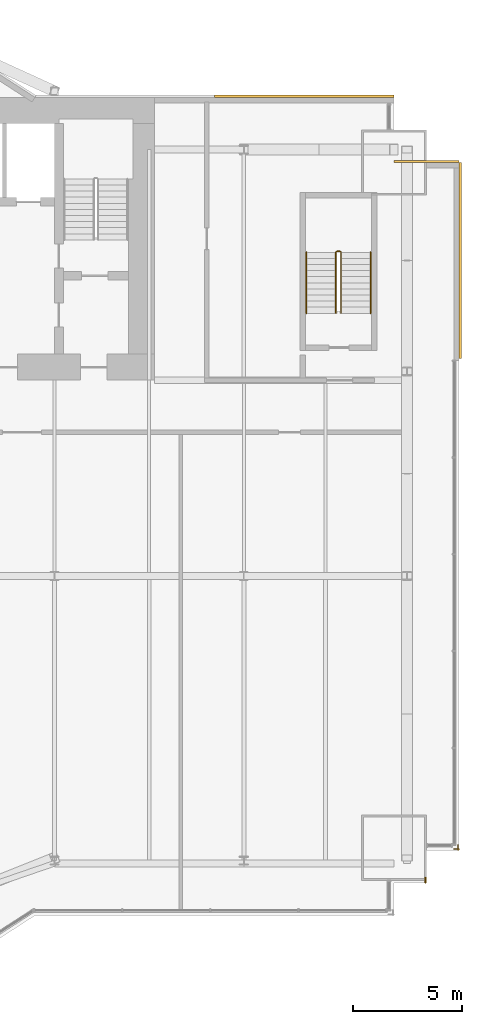
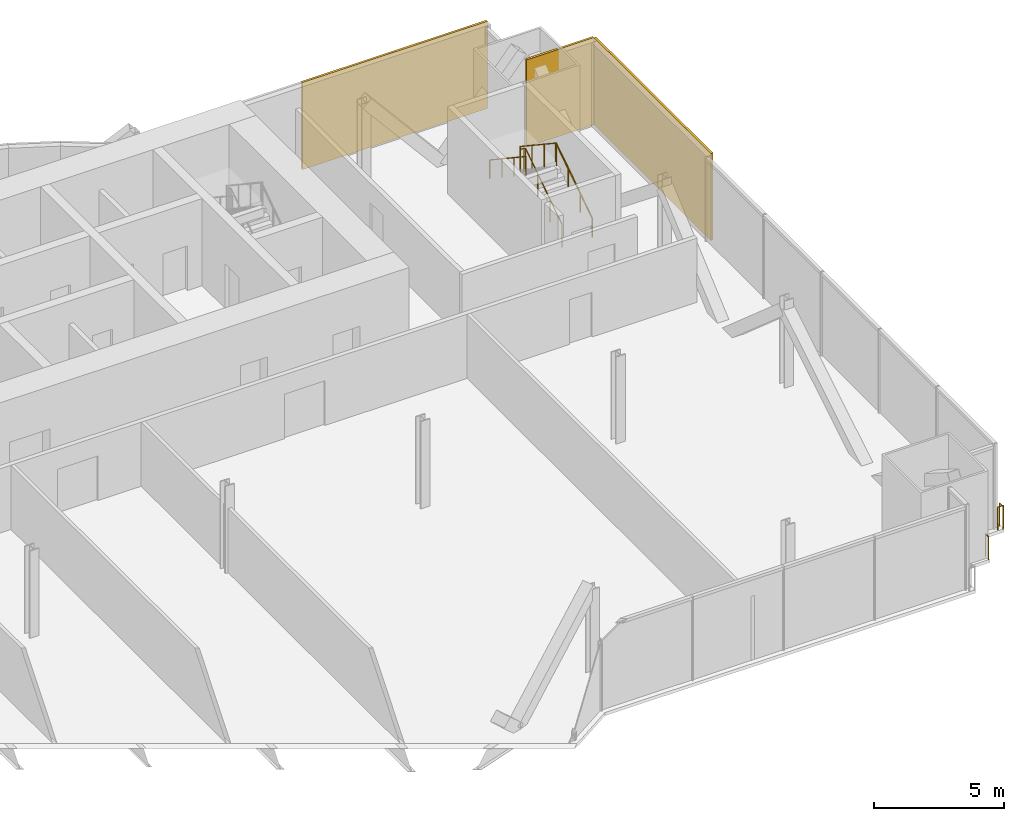
# One storey, part 21 of 21: 5 railings, 3 coverings.
"""IFC4 building model written with IfcOpenShell, lengths in metres."""

import ifcopenshell
import ifcopenshell.guid

model = None  # the IFC model being written
_history = None  # IfcOwnerHistory: only IFC2X3 demands one
_inside = {}  # id of a spatial element -> (the spatial element, [elements in it])
_under = {}  # id of a project, library or spatial element -> (it, [spatial elements below it])
_declared = {}  # id of a project -> (the project, [libraries it declares])
_typed = {}  # id of a type object -> (the type object, [elements of that type])
_made_of = {}  # id of a material, layer set ... -> (it, [elements and type objects made of it])


def new_model(schema):
    """Start an empty IFC model of exactly this schema.

    Asked for "IFC4X3", IfcOpenShell would pick the latest addendum, in which some entities
    have other attributes; the version numbers below select the first issue.
    IFC2X3 requires an IfcOwnerHistory on every rooted entity: one is made here for all.
    """
    global model, _history
    if schema == "IFC4X3":
        model = ifcopenshell.file(schema_version=(4, 3, 0, 0))
    else:
        model = ifcopenshell.file(schema=schema)
    _inside.clear()
    _under.clear()
    _declared.clear()
    _typed.clear()
    _made_of.clear()
    _history = None
    if model.schema == "IFC2X3":
        org = make("IfcOrganization", Name="unknown")
        user = make(
            "IfcPersonAndOrganization",
            ThePerson=make("IfcPerson", FamilyName="unknown"),
            TheOrganization=org,
        )
        app = make(
            "IfcApplication",
            ApplicationDeveloper=org,
            Version="unknown",
            ApplicationFullName="unknown",
            ApplicationIdentifier="unknown",
        )
        _history = make(
            "IfcOwnerHistory",
            OwningUser=user,
            OwningApplication=app,
            ChangeAction="ADDED",
            CreationDate=0,
        )
    return model


def make(cls, **values):
    """One entity of the class cls with the attributes given. An attribute that is None is left unset."""
    return model.create_entity(
        cls, **{name: value for name, value in values.items() if value is not None}
    )


def rooted(cls, **values):
    """An entity with a GlobalId (a new one), such as an element, a storey or a relation."""
    return make(cls, GlobalId=ifcopenshell.guid.new(), OwnerHistory=_history, **values)


def si_unit(unit_type, name, prefix=None):
    """IfcSIUnit, for example si_unit("LENGTHUNIT", "METRE", prefix="MILLI")."""
    return make("IfcSIUnit", UnitType=unit_type, Prefix=prefix, Name=name)


def assignment(units):
    """IfcUnitAssignment: the units of a project."""
    return None if units is None else make("IfcUnitAssignment", Units=units)


def point(xyz):
    """IfcCartesianPoint."""
    return None if xyz is None else make("IfcCartesianPoint", Coordinates=xyz)


def direction(xyz):
    """IfcDirection."""
    return None if xyz is None else make("IfcDirection", DirectionRatios=xyz)


def frame(location, z_axis=None, x_axis=None):
    """IfcAxis2Placement3D, a coordinate frame: its origin and axes. An axis left out is left unset."""
    return make(
        "IfcAxis2Placement3D",
        Location=point(location),
        Axis=direction(z_axis),
        RefDirection=direction(x_axis),
    )


def frame_2d(location, x_axis=None):
    """IfcAxis2Placement2D, a coordinate frame in the plane: its origin and x axis."""
    return make(
        "IfcAxis2Placement2D", Location=point(location), RefDirection=direction(x_axis)
    )


def origin():
    """The frame at (0, 0, 0) with its axes left unset."""
    return frame((0.0, 0.0, 0.0))


def origin_2d():
    """The frame at (0, 0) in the plane with its x axis left unset."""
    return frame_2d((0.0, 0.0))


def place(relative_to, where):
    """IfcLocalPlacement: puts the frame where relative to a parent placement (None: the world)."""
    return make(
        "IfcLocalPlacement", PlacementRelTo=relative_to, RelativePlacement=where
    )


def context(
    kind, dimensions, precision=None, world=None, true_north=None, identifier=None
):
    """IfcGeometricRepresentationContext, for example the 3D "Model" context."""
    return make(
        "IfcGeometricRepresentationContext",
        ContextIdentifier=identifier,
        ContextType=kind,
        CoordinateSpaceDimension=dimensions,
        Precision=precision,
        WorldCoordinateSystem=world,
        TrueNorth=true_north,
    )


def subcontext(parent, identifier, kind, view, scale=None):
    """IfcGeometricRepresentationSubContext, for example "Body" below "Model"."""
    return make(
        "IfcGeometricRepresentationSubContext",
        ContextIdentifier=identifier,
        ContextType=kind,
        ParentContext=parent,
        TargetScale=scale,
        TargetView=view,
    )


def project(units=None, contexts=None):
    """IfcProject with its units and contexts."""
    return rooted(
        "IfcProject",
        Name="project",
        RepresentationContexts=contexts,
        UnitsInContext=assignment(units),
    )


def spatial(cls, under=None, at=None, **own):
    """A site, building, storey or space (cls), placed at a placement, below another one or the project."""
    s = rooted(cls, ObjectPlacement=at, **own)
    if under is not None:
        _under.setdefault(under.id(), (under, []))[1].append(s)
    return s


def profile(cls, at=None, kind="AREA", **sizes):
    """A parametric profile (cls). Its sizes go by their IFC names, for example OverallWidth=200.0."""
    return make(cls, ProfileType=kind, Position=at, **sizes)


def rectangle(**sizes):
    """IfcRectangleProfileDef."""
    return profile("IfcRectangleProfileDef", **sizes)


def circle(**sizes):
    """IfcCircleProfileDef."""
    return profile("IfcCircleProfileDef", **sizes)


def extrude(swept, where, along, depth):
    """IfcExtrudedAreaSolid: the profile swept, set in the frame where, extruded along a direction by depth."""
    return make(
        "IfcExtrudedAreaSolid",
        SweptArea=swept,
        Position=where,
        ExtrudedDirection=direction(along),
        Depth=depth,
    )


def shape(context_of_items, identifier, shape_type, items):
    """IfcShapeRepresentation: the items that make up one representation, for example the "Body"."""
    return make(
        "IfcShapeRepresentation",
        ContextOfItems=context_of_items,
        RepresentationIdentifier=identifier,
        RepresentationType=shape_type,
        Items=items,
    )


def material(Name=None, Category=None):
    """IfcMaterial."""
    return make("IfcMaterial", Name=Name, Category=Category)


def layer(
    of_material, thickness, ventilated=None, Name=None, Category=None, Priority=None
):
    """IfcMaterialLayer: one layer of a wall or slab, of a material (None: an air gap)."""
    return make(
        "IfcMaterialLayer",
        Material=of_material,
        LayerThickness=thickness,
        IsVentilated=ventilated,
        Name=Name,
        Category=Category,
        Priority=Priority,
    )


def layer_set(layers, Name=None):
    """IfcMaterialLayerSet."""
    return make("IfcMaterialLayerSet", MaterialLayers=layers, LayerSetName=Name)


def made_of(thing, what):
    """Note that an element or type object is made of a material, layer set ...; save() writes the relation."""
    if what is not None:
        _made_of.setdefault(what.id(), (what, []))[1].append(thing)
    return thing


def type_object(cls, material=None, **own):
    """A type object (cls), such as IfcWallType, which elements share."""
    return made_of(rooted(cls, **own), material)


def element(
    cls,
    number,
    at=None,
    inside=None,
    cuts=None,
    type_object=None,
    material=None,
    context=None,
    identifier="Body",
    shape_type=None,
    held_by="IfcProductDefinitionShape",
    body=None,
    shapes=None,
    **own,
):
    """One element of the class cls, such as IfcWall. Its Tag is "e" and its number.

    at: its placement. inside: the storey or other place that contains it. cuts: it is an
    opening in that element (IfcRelVoidsElement). A single representation is given by context,
    identifier, shape_type and body (its items); several are given by shapes. held_by: the class
    of the entity that holds the representations. save() writes the other relations.
    """
    e = rooted(cls, Tag="e%d" % number, ObjectPlacement=at, **own)
    if body is not None:
        shapes = [shape(context, identifier, shape_type, body)]
    if shapes is not None:
        e.Representation = make(held_by, Representations=shapes)
    if inside is not None:
        _inside.setdefault(inside.id(), (inside, []))[1].append(e)
    if cuts is not None:
        rooted(
            "IfcRelVoidsElement", RelatingBuildingElement=cuts, RelatedOpeningElement=e
        )
    if type_object is not None:
        _typed.setdefault(type_object.id(), (type_object, []))[1].append(e)
    return made_of(e, material)


def aggregate(whole, parts):
    """IfcRelAggregates: a whole, such as a stair, and the parts it consists of."""
    return rooted("IfcRelAggregates", RelatingObject=whole, RelatedObjects=parts)


def save(model, path):
    """Write the relations noted so far, then the file.

    IfcRelAggregates (storeys below a building ...), IfcRelContainedInSpatialStructure (elements
    in a storey), IfcRelDefinesByType, IfcRelAssociatesMaterial and IfcRelDeclares: one each for
    every whole, place, type object, material and project.
    """
    for whole, parts in _under.values():
        aggregate(whole, parts)
    for where, things in _inside.values():
        rooted(
            "IfcRelContainedInSpatialStructure",
            RelatedElements=things,
            RelatingStructure=where,
        )
    for kind, things in _typed.values():
        rooted("IfcRelDefinesByType", RelatedObjects=things, RelatingType=kind)
    for what, things in _made_of.values():
        rooted("IfcRelAssociatesMaterial", RelatedObjects=things, RelatingMaterial=what)
    for by, libraries in _declared.values():
        rooted("IfcRelDeclares", RelatingContext=by, RelatedDefinitions=libraries)
    model.write(path)


model = new_model("IFC4")

# Units and contexts
model_context = context("Model", 3, precision=1e-05, world=origin(), true_north=direction((0.0, 1.0)))
body_context = subcontext(model_context, "Body", "Model", "MODEL_VIEW")
ifc_project = project(units=[si_unit("LENGTHUNIT", "METRE"), si_unit("AREAUNIT", "SQUARE_METRE"), si_unit("VOLUMEUNIT", "CUBIC_METRE"), si_unit("PLANEANGLEUNIT", "RADIAN"), si_unit("MASSUNIT", "GRAM", prefix="KILO")], contexts=[model_context])

# Site, building, storey
site_placement = place(None, origin())
site = spatial("IfcSite", under=ifc_project, at=site_placement, CompositionType="ELEMENT")
building_placement = place(site_placement, origin())
building = spatial("IfcBuilding", under=site, at=building_placement, Name="Bicima Exchange Tower", CompositionType="ELEMENT")
storey_placement = place(building_placement, frame((0.0, 0.0, 114.5)))
storey = spatial("IfcBuildingStorey", under=building, at=storey_placement, Name="L24", CompositionType="ELEMENT", Elevation=114.5)

# Coverings
ifc_material_1 = material(Name="Bronze metal cladding")
ifc_layer_1 = layer(ifc_material_1, 0.004)
ifc_material_2 = material(Name="Ventilated cavity")
ifc_layer_2 = layer(ifc_material_2, 0.06)
ifc_material_3 = material(Name="Galvanised steel rail and mineral wool", Category="steel")
ifc_layer_3 = layer(ifc_material_3, 0.036)
ifc_layer_set = layer_set([ifc_layer_1, ifc_layer_2, ifc_layer_3], Name="Ventilated cavity")
covering_type = type_object("IfcCoveringType", Name="Bronze metal cladding panel 100", PredefinedType="CLADDING", material=ifc_layer_set)
covering_1_placement = place(storey_placement, frame((28.875, 0.050048828125, -0.150146484375), z_axis=(0.0, 0.0, 1.0), x_axis=(-1.0, 0.0, 0.0)))
element("IfcCovering", 1, at=covering_1_placement, inside=storey, type_object=covering_type, Name="Bronze cladding L24 1.1", PredefinedType="CLADDING", context=body_context, shape_type="SweptSolid", body=[
    extrude(rectangle(XDim=8.25, YDim=0.10009765625, at=origin_2d()), origin(), (0.0, 0.0, 1.0), 4.10009765625),
])
covering_2_placement = place(storey_placement, frame((36.050048828125, -7.5, -0.150146484375), z_axis=(0.0, 0.0, 1.0), x_axis=(0.0, 1.0, 0.0)))
element("IfcCovering", 2, at=covering_2_placement, inside=storey, type_object=covering_type, Name="Bronze cladding L24 50.1", PredefinedType="CLADDING", context=body_context, shape_type="SweptSolid", body=[
    extrude(rectangle(XDim=9.0, YDim=0.10009765625, at=origin_2d()), origin(), (0.0, 0.0, 1.0), 4.10009765625),
])
covering_3_placement = place(storey_placement, frame((34.5, -2.949951171875, -0.150146484375), z_axis=(0.0, 0.0, 1.0), x_axis=(-1.0, 0.0, 0.0)))
element("IfcCovering", 3, at=covering_3_placement, inside=storey, type_object=covering_type, Name="Bronze cladding L24 51.1", PredefinedType="CLADDING", context=body_context, shape_type="SweptSolid", body=[
    extrude(rectangle(XDim=3.0, YDim=0.10009765625, at=origin_2d()), origin(), (0.0, 0.0, 1.0), 4.10009765625),
])

# Railings
ifc_material_4 = material(Name="Stainless steel and bonded safety glass", Category="steel")
railing_type_1 = type_object("IfcRailingType", Name="Edge guard 1100", PredefinedType="GUARDRAIL", material=ifc_material_4)
railing_1_placement = place(storey_placement, frame((35.949951171875, -34.35888671875, 0.0)))
element("IfcRailing", 4, at=railing_1_placement, inside=storey, type_object=railing_type_1, Name="Edge guard L24 116", PredefinedType="GUARDRAIL", context=body_context, shape_type="SweptSolid", body=[
    extrude(circle(Radius=0.02392578125, at=origin_2d()), frame((0.0, 0.0, 1.076171875), z_axis=(0.0, -1.0, 0.0), x_axis=(1.0, 0.0, 0.0)), (0.0, 0.0, 1.0), 0.2490234375),
    extrude(circle(Radius=0.02392578125, at=origin_2d()), frame((0.0, -0.2490234375, 1.076171875), z_axis=(0.708833529934, 0.705375805398, 0.0), x_axis=(-0.705375805398, 0.708833529934, 0.0)), (0.0, 0.0, 1.0), 0.070556640625),
    extrude(circle(Radius=0.02392578125, at=origin_2d()), frame((0.050048828125, -0.19921875, 1.076171875), z_axis=(-1.0, 0.0, 0.0), x_axis=(0.0, -1.0, 0.0)), (0.0, 0.0, 1.0), 0.25),
    extrude(circle(Radius=0.02099609375, at=origin_2d()), origin(), (0.0, 0.0, 1.0), 1.052001953125),
    extrude(circle(Radius=0.02099609375, at=origin_2d()), frame((0.0, -0.2490234375, 0.0)), (0.0, 0.0, 1.0), 1.052001953125),
    extrude(circle(Radius=0.02099609375, at=origin_2d()), frame((0.050048828125, -0.19921875, 0.0)), (0.0, 0.0, 1.0), 1.052001953125),
    extrude(circle(Radius=0.02099609375, at=origin_2d()), frame((-0.199951171875, -0.19921875, 0.0)), (0.0, 0.0, 1.0), 1.052001953125),
])
railing_2_placement = place(storey_placement, frame((34.449951171875, -35.85791015625, 0.0)))
element("IfcRailing", 5, at=railing_2_placement, inside=storey, type_object=railing_type_1, Name="Edge guard L24 117", PredefinedType="GUARDRAIL", context=body_context, shape_type="SweptSolid", body=[
    extrude(circle(Radius=0.02392578125, at=origin_2d()), frame((0.0, 0.0, 1.076171875), z_axis=(0.0, -1.0, 0.0), x_axis=(1.0, 0.0, 0.0)), (0.0, 0.0, 1.0), 0.25),
    extrude(circle(Radius=0.02099609375, at=origin_2d()), origin(), (0.0, 0.0, 1.0), 1.052001953125),
    extrude(circle(Radius=0.02099609375, at=origin_2d()), frame((0.0, -0.25, 0.0)), (0.0, 0.0, 1.0), 1.052001953125),
])
ifc_material_5 = material(Name="Stainless steel", Category="steel")
railing_type_2 = type_object("IfcRailingType", Name="Stair guard 1100", PredefinedType="GUARDRAIL", material=ifc_material_5)
railing_3_placement = place(storey_placement, frame((30.574951171875, -9.925048828125, 0.186279296875)))
element("IfcRailing", 6, at=railing_3_placement, inside=storey, type_object=railing_type_2, Name="L24 ST-EE stair guard 1", PredefinedType="GUARDRAIL", context=body_context, shape_type="SweptSolid", body=[
    extrude(circle(Radius=0.02392578125, at=origin_2d()), frame((0.0, 0.0, 1.076171875), z_axis=(0.0, 0.832452072856, 0.554097055034), x_axis=(-1.0, 0.0, 0.0)), (0.0, 0.0, 1.0), 3.363525390625),
    extrude(circle(Radius=0.02392578125, at=origin_2d()), frame((0.0, 2.800048828125, 2.93994140625), z_axis=(-0.707106781187, 0.707106781187, 0.0), x_axis=(-0.707106781187, -0.707106781187, 0.0)), (0.0, 0.0, 1.0), 0.07080078125),
    extrude(circle(Radius=0.02392578125, at=origin_2d()), frame((-0.050048828125, 2.85009765625, 2.93994140625), z_axis=(-1.0, 0.0, 0.0), x_axis=(0.0, -1.0, 0.0)), (0.0, 0.0, 1.0), 0.14990234375),
    extrude(circle(Radius=0.02392578125, at=origin_2d()), frame((-0.199951171875, 2.85009765625, 2.93994140625), z_axis=(-0.251157038772, -0.251157038772, 0.934794246747), x_axis=(0.707106781187, -0.707106781187, 0.0)), (0.0, 0.0, 1.0), 0.19921875),
    extrude(circle(Radius=0.02392578125, at=origin_2d()), frame((-0.25, 2.800048828125, 3.1259765625), z_axis=(0.0, -0.832452072856, 0.554097055034), x_axis=(1.0, 0.0, 0.0)), (0.0, 0.0, 1.0), 3.363525390625),
    extrude(circle(Radius=0.02099609375, at=origin_2d()), origin(), (0.0, 0.0, 1.0), 1.052001953125),
    extrude(circle(Radius=0.02099609375, at=origin_2d()), frame((0.0, 0.933349609375, 0.621337890625)), (0.0, 0.0, 1.0), 1.052001953125),
    extrude(circle(Radius=0.02099609375, at=origin_2d()), frame((0.0, 1.86669921875, 1.242431640625)), (0.0, 0.0, 1.0), 1.052001953125),
    extrude(circle(Radius=0.02099609375, at=origin_2d()), frame((0.0, 2.800048828125, 1.86376953125)), (0.0, 0.0, 1.0), 1.052001953125),
    extrude(circle(Radius=0.02099609375, at=origin_2d()), frame((-0.050048828125, 2.85009765625, 1.86376953125)), (0.0, 0.0, 1.0), 1.052001953125),
    extrude(circle(Radius=0.02099609375, at=origin_2d()), frame((-0.199951171875, 2.85009765625, 1.86376953125)), (0.0, 0.0, 1.0), 1.052001953125),
    extrude(circle(Radius=0.02099609375, at=origin_2d()), frame((-0.25, 2.800048828125, 2.050048828125)), (0.0, 0.0, 1.0), 1.052001953125),
    extrude(circle(Radius=0.02099609375, at=origin_2d()), frame((-0.25, 1.86669921875, 2.67138671875)), (0.0, 0.0, 1.0), 1.052001953125),
    extrude(circle(Radius=0.02099609375, at=origin_2d()), frame((-0.25, 0.933349609375, 3.29248046875)), (0.0, 0.0, 1.0), 1.052001953125),
    extrude(circle(Radius=0.02099609375, at=origin_2d()), frame((-0.25, 0.0, 3.913818359375)), (0.0, 0.0, 1.0), 1.052001953125),
])
railing_type_3 = type_object("IfcRailingType", Name="Stair handrail 900", PredefinedType="HANDRAIL", material=ifc_material_5)
railing_4_placement = place(storey_placement, frame((31.925048828125, -9.925048828125, 0.186279296875)))
element("IfcRailing", 7, at=railing_4_placement, inside=storey, type_object=railing_type_3, Name="L24 ST-EE stair handrail 1", PredefinedType="HANDRAIL", context=body_context, shape_type="SweptSolid", body=[
    extrude(circle(Radius=0.02392578125, at=origin_2d()), frame((0.0, 0.0, 0.8759765625), z_axis=(0.0, 0.832452072856, 0.554097055034), x_axis=(-1.0, 0.0, 0.0)), (0.0, 0.0, 1.0), 3.363525390625),
    extrude(circle(Radius=0.02099609375, at=origin_2d()), origin(), (0.0, 0.0, 1.0), 0.851806640625),
    extrude(circle(Radius=0.02099609375, at=origin_2d()), frame((0.0, 0.933349609375, 0.621337890625)), (0.0, 0.0, 1.0), 0.851806640625),
    extrude(circle(Radius=0.02099609375, at=origin_2d()), frame((0.0, 1.86669921875, 1.242431640625)), (0.0, 0.0, 1.0), 0.851806640625),
    extrude(circle(Radius=0.02099609375, at=origin_2d()), frame((0.0, 2.800048828125, 1.86376953125)), (0.0, 0.0, 1.0), 0.851806640625),
])
railing_5_placement = place(storey_placement, frame((28.97509765625, -7.125, 2.27685546875)))
element("IfcRailing", 8, at=railing_5_placement, inside=storey, type_object=railing_type_3, Name="L24 ST-EE stair handrail 2", PredefinedType="HANDRAIL", context=body_context, shape_type="SweptSolid", body=[
    extrude(circle(Radius=0.02392578125, at=origin_2d()), frame((0.0, 0.0, 0.8759765625), z_axis=(0.0, -0.832485552168, 0.554046753832), x_axis=(1.0, 0.0, 0.0)), (0.0, 0.0, 1.0), 3.363525390625),
    extrude(circle(Radius=0.02099609375, at=origin_2d()), origin(), (0.0, 0.0, 1.0), 0.851806640625),
    extrude(circle(Radius=0.02099609375, at=origin_2d()), frame((0.0, -0.933349609375, 0.62109375)), (0.0, 0.0, 1.0), 0.851806640625),
    extrude(circle(Radius=0.02099609375, at=origin_2d()), frame((0.0, -1.86669921875, 1.242431640625)), (0.0, 0.0, 1.0), 0.851806640625),
    extrude(circle(Radius=0.02099609375, at=origin_2d()), frame((0.0, -2.800048828125, 1.863525390625)), (0.0, 0.0, 1.0), 0.851806640625),
])

save(model, "model.ifc")
